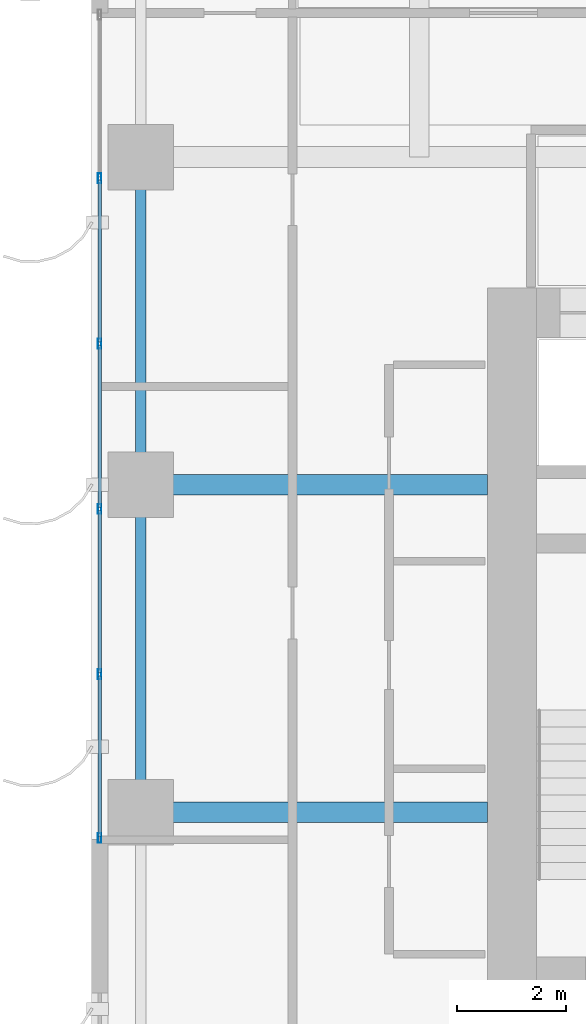
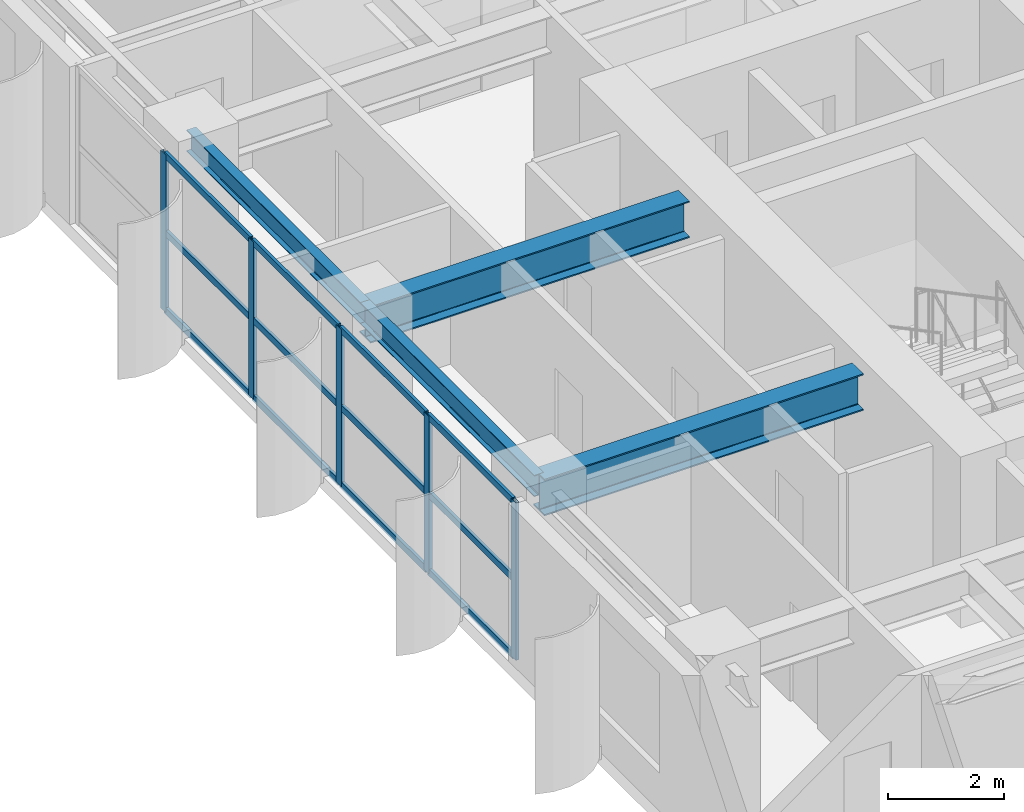
# One storey, part 5 of 26: 17 members, 4 beams, 1 element without a shape of its own.
"""IFC4 building model written with IfcOpenShell, lengths in metres."""

from ifc_helpers import new_model, si_unit, direction, frame, origin, origin_2d, place, context, subcontext, project, spatial, hollow_rectangle, i_section, extrude, source, transform, mapped, material, layer, layer_set, material_profile, profile_set, type_object, element, aggregate, save


model = new_model("IFC4")

# Units and contexts
model_context = context("Model", 3, precision=1e-05, world=origin(), true_north=direction((0.0, 1.0)))
body_context = subcontext(model_context, "Body", "Model", "MODEL_VIEW")
ifc_project = project(units=[si_unit("LENGTHUNIT", "METRE"), si_unit("AREAUNIT", "SQUARE_METRE"), si_unit("VOLUMEUNIT", "CUBIC_METRE"), si_unit("PLANEANGLEUNIT", "RADIAN"), si_unit("MASSUNIT", "GRAM", prefix="KILO")], contexts=[model_context])

# Site, building, storey
site_placement = place(None, origin())
site = spatial("IfcSite", under=ifc_project, at=site_placement, CompositionType="ELEMENT")
building_placement = place(site_placement, origin())
building = spatial("IfcBuilding", under=site, at=building_placement, Name="Khoralis Quay Care Tower", CompositionType="ELEMENT")
storey_placement = place(building_placement, frame((0.0, 0.0, 26.10009765625)))
storey = spatial("IfcBuildingStorey", under=building, at=storey_placement, Name="L06", CompositionType="ELEMENT", Elevation=26.10009765625)

# Beams
ifc_material_1 = material(Name="Steel S355", Category="steel")
ifc_material_profile_1 = material_profile(ifc_material_1, i_section(OverallWidth=0.18994140625, OverallDepth=0.449951171875, WebThickness=0.009521484375, FlangeThickness=0.0146484375, FilletRadius=0.02099609375, at=origin_2d()), Name="Steel S355")
ifc_profile_set_1 = profile_set([ifc_material_profile_1], Name="Steel S355")
beam_type_1 = type_object("IfcBeamType", Name="BM-IPE450", PredefinedType="SPANDREL", material=ifc_profile_set_1)
shared_shape_1 = source(origin(), body_context, "Body", "SweptSolid", [
    extrude(i_section(OverallWidth=0.18994140625, OverallDepth=0.449951171875, WebThickness=0.009521484375, FlangeThickness=0.0146484375, FilletRadius=0.02099609375, at=origin_2d()), origin(), (0.0, 0.0, 1.0), 6.0),
])
for number, where, z_axis, x_axis, name in (
    (1, (0.89990234375, 18.0, 3.094970703125), (0.0, 1.0, 0.0), (-1.0, 0.0, 0.0), "BM-TSP-L06-15"),
    (2, (0.89990234375, 24.0, 3.094970703125), (0.0, 1.0, 0.0), (-1.0, 0.0, 0.0), "BM-TSP-L06-16"),
):
    element("IfcBeam", number, at=place(storey_placement, frame(where, z_axis=z_axis, x_axis=x_axis)), inside=storey, type_object=beam_type_1, Name=name, PredefinedType="SPANDREL", context=body_context, shape_type="MappedRepresentation", body=[
        mapped(shared_shape_1, transform((0.0, 0.0, 0.0), scale=1.0)),
    ])
ifc_material_profile_2 = material_profile(ifc_material_1, i_section(OverallWidth=0.381103515625, OverallDepth=0.77294921875, WebThickness=0.0166015625, FlangeThickness=0.027587890625, FilletRadius=0.02197265625, at=origin_2d()), Name="Steel S355")
ifc_profile_set_2 = profile_set([ifc_material_profile_2], Name="Steel S355")
beam_type_2 = type_object("IfcBeamType", Name="BM-W760X257", PredefinedType="BEAM", material=ifc_profile_set_2)
shared_shape_2 = source(origin(), body_context, "Body", "SweptSolid", [
    extrude(i_section(OverallWidth=0.381103515625, OverallDepth=0.77294921875, WebThickness=0.0166015625, FlangeThickness=0.027587890625, FilletRadius=0.02197265625, at=origin_2d()), origin(), (0.0, 0.0, 1.0), 6.35205078125),
])
for number, where, z_axis, x_axis, name in (
    (3, (0.89990234375, 18.0, 2.933349609375), (1.0, 0.0, 0.0), (0.0, 1.0, 0.0), "BM-TGXW-L06-180"),
    (4, (0.89990234375, 24.0, 2.933349609375), (1.0, 0.0, 0.0), (0.0, 1.0, 0.0), "BM-TGXW-L06-240"),
):
    element("IfcBeam", number, at=place(storey_placement, frame(where, z_axis=z_axis, x_axis=x_axis)), inside=storey, type_object=beam_type_2, Name=name, PredefinedType="BEAM", context=body_context, shape_type="MappedRepresentation", body=[
        mapped(shared_shape_2, transform((0.0, 0.0, 0.0), scale=1.0)),
    ])

# Curtain wall, members
ifc_material_2 = material(Name="Pale anodised aluminium", Category="aluminium")
ifc_layer = layer(ifc_material_2, 0.179931640625)
ifc_layer_set = layer_set([ifc_layer], Name="Pale anodised aluminium")
curtain_wall_type = type_object("IfcCurtainWallType", Name="CW-SYS-Z1", PredefinedType="NOTDEFINED", material=ifc_layer_set)
curtain_wall_placement = place(storey_placement, origin())
curtain_wall = element("IfcCurtainWall", 5, at=curtain_wall_placement, inside=storey, type_object=curtain_wall_type, Name="L06 Unitised Curtain Wall CW-L06-P1-E15", PredefinedType="NOTDEFINED")
ifc_material_profile_3 = material_profile(ifc_material_2, hollow_rectangle(XDim=0.06494140625, YDim=0.179931640625, WallThickness=0.00390625, at=origin_2d()), Name="Pale anodised aluminium")
ifc_profile_set_3 = profile_set([ifc_material_profile_3], Name="Pale anodised aluminium")
member_type_1 = type_object("IfcMemberType", Name="CW-MUL-180", PredefinedType="MULLION", material=ifc_profile_set_3)
shared_shape_3 = source(origin(), body_context, "Body", "SweptSolid", [
    extrude(hollow_rectangle(XDim=0.06494140625, YDim=0.179931640625, WallThickness=0.00390625, at=origin_2d()), origin(), (0.0, 0.0, 1.0), 3.31982421875),
])
member_1_placement = place(storey_placement, frame((0.14990234375, 29.612060546875, 0.0), z_axis=(0.0, 0.0, 1.0), x_axis=(1.0, 0.0, 0.0)))
member_1 = element("IfcMember", 6, at=member_1_placement, type_object=member_type_1, Name="CW1 mullion 2", PredefinedType="MULLION", context=body_context, shape_type="MappedRepresentation", body=[
    mapped(shared_shape_3, transform((0.0, 0.0, 0.0), scale=1.0)),
])
member_2_placement = place(storey_placement, frame((0.14990234375, 26.583984375, 0.0), z_axis=(0.0, 0.0, 1.0), x_axis=(1.0, 0.0, 0.0)))
member_2 = element("IfcMember", 7, at=member_2_placement, type_object=member_type_1, Name="CW1 mullion 3", PredefinedType="MULLION", context=body_context, shape_type="MappedRepresentation", body=[
    mapped(shared_shape_3, transform((0.0, 0.0, 0.0), scale=1.0)),
])
member_3_placement = place(storey_placement, frame((0.14990234375, 23.555908203125, 0.0), z_axis=(0.0, 0.0, 1.0), x_axis=(1.0, 0.0, 0.0)))
member_3 = element("IfcMember", 8, at=member_3_placement, type_object=member_type_1, Name="CW1 mullion 4", PredefinedType="MULLION", context=body_context, shape_type="MappedRepresentation", body=[
    mapped(shared_shape_3, transform((0.0, 0.0, 0.0), scale=1.0)),
])
member_4_placement = place(storey_placement, frame((0.14990234375, 20.528076171875, 0.0), z_axis=(0.0, 0.0, 1.0), x_axis=(1.0, 0.0, 0.0)))
member_4 = element("IfcMember", 9, at=member_4_placement, type_object=member_type_1, Name="CW1 mullion 5", PredefinedType="MULLION", context=body_context, shape_type="MappedRepresentation", body=[
    mapped(shared_shape_3, transform((0.0, 0.0, 0.0), scale=1.0)),
])
member_5_placement = place(storey_placement, frame((0.14990234375, 17.530029296875, 0.0), z_axis=(0.0, 0.0, 1.0), x_axis=(1.0, 0.0, 0.0)))
member_5 = element("IfcMember", 10, at=member_5_placement, type_object=member_type_1, Name="CW1 mullion 6", PredefinedType="MULLION", context=body_context, shape_type="MappedRepresentation", body=[
    mapped(shared_shape_3, transform((0.0, 0.0, 0.0), scale=1.0)),
])
ifc_material_profile_4 = material_profile(ifc_material_2, hollow_rectangle(XDim=0.06005859375, YDim=0.139892578125, WallThickness=0.00390625, at=origin_2d()), Name="Pale anodised aluminium")
ifc_profile_set_4 = profile_set([ifc_material_profile_4], Name="Pale anodised aluminium")
member_type_2 = type_object("IfcMemberType", Name="CW-TRN-140", PredefinedType="USERDEFINED", material=ifc_profile_set_4)
shared_shape_4 = source(origin(), body_context, "Body", "SweptSolid", [
    extrude(hollow_rectangle(XDim=0.06005859375, YDim=0.139892578125, WallThickness=0.00390625, at=origin_2d()), origin(), (0.0, 0.0, 1.0), 2.93798828125),
])
member_6_placement = place(storey_placement, frame((0.14990234375, 20.498046875, 0.02978515625), z_axis=(0.0, -1.0, 0.0), x_axis=(1.0, 0.0, 0.0)))
member_6 = element("IfcMember", 11, at=member_6_placement, type_object=member_type_2, Name="CW1 transom 5.1", ObjectType="TRANSOM", PredefinedType="USERDEFINED", context=body_context, shape_type="MappedRepresentation", body=[
    mapped(shared_shape_4, transform((0.0, 0.0, 0.0), scale=1.0)),
])
member_7_placement = place(storey_placement, frame((0.14990234375, 20.498046875, 1.659912109375), z_axis=(0.0, -1.0, 0.0), x_axis=(1.0, 0.0, 0.0)))
member_7 = element("IfcMember", 12, at=member_7_placement, type_object=member_type_2, Name="CW1 transom 5.2", ObjectType="TRANSOM", PredefinedType="USERDEFINED", context=body_context, shape_type="MappedRepresentation", body=[
    mapped(shared_shape_4, transform((0.0, 0.0, 0.0), scale=1.0)),
])
member_8_placement = place(storey_placement, frame((0.14990234375, 20.498046875, 3.289794921875), z_axis=(0.0, -1.0, 0.0), x_axis=(1.0, 0.0, 0.0)))
member_8 = element("IfcMember", 13, at=member_8_placement, type_object=member_type_2, Name="CW1 transom 5.3", ObjectType="TRANSOM", PredefinedType="USERDEFINED", context=body_context, shape_type="MappedRepresentation", body=[
    mapped(shared_shape_4, transform((0.0, 0.0, 0.0), scale=1.0)),
])
shared_shape_5 = source(origin(), body_context, "Body", "SweptSolid", [
    extrude(hollow_rectangle(XDim=0.06005859375, YDim=0.139892578125, WallThickness=0.00390625, at=origin_2d()), origin(), (0.0, 0.0, 1.0), 2.9677734375),
])
member_9_placement = place(storey_placement, frame((0.14990234375, 23.52587890625, 0.02978515625), z_axis=(0.0, -1.0, 0.0), x_axis=(1.0, 0.0, 0.0)))
member_9 = element("IfcMember", 14, at=member_9_placement, type_object=member_type_2, Name="CW1 transom 4.1", ObjectType="TRANSOM", PredefinedType="USERDEFINED", context=body_context, shape_type="MappedRepresentation", body=[
    mapped(shared_shape_5, transform((0.0, 0.0, 0.0), scale=1.0)),
])
member_10_placement = place(storey_placement, frame((0.14990234375, 23.52587890625, 1.659912109375), z_axis=(0.0, -1.0, 0.0), x_axis=(1.0, 0.0, 0.0)))
member_10 = element("IfcMember", 15, at=member_10_placement, type_object=member_type_2, Name="CW1 transom 4.2", ObjectType="TRANSOM", PredefinedType="USERDEFINED", context=body_context, shape_type="MappedRepresentation", body=[
    mapped(shared_shape_5, transform((0.0, 0.0, 0.0), scale=1.0)),
])
member_11_placement = place(storey_placement, frame((0.14990234375, 23.52587890625, 3.289794921875), z_axis=(0.0, -1.0, 0.0), x_axis=(1.0, 0.0, 0.0)))
member_11 = element("IfcMember", 16, at=member_11_placement, type_object=member_type_2, Name="CW1 transom 4.3", ObjectType="TRANSOM", PredefinedType="USERDEFINED", context=body_context, shape_type="MappedRepresentation", body=[
    mapped(shared_shape_5, transform((0.0, 0.0, 0.0), scale=1.0)),
])
shared_shape_6 = source(origin(), body_context, "Body", "SweptSolid", [
    extrude(hollow_rectangle(XDim=0.06005859375, YDim=0.139892578125, WallThickness=0.00390625, at=origin_2d()), origin(), (0.0, 0.0, 1.0), 2.968017578125),
])
member_12_placement = place(storey_placement, frame((0.14990234375, 29.58203125, 0.02978515625), z_axis=(0.0, -1.0, 0.0), x_axis=(1.0, 0.0, 0.0)))
member_12 = element("IfcMember", 17, at=member_12_placement, type_object=member_type_2, Name="CW1 transom 2.1", ObjectType="TRANSOM", PredefinedType="USERDEFINED", context=body_context, shape_type="MappedRepresentation", body=[
    mapped(shared_shape_6, transform((0.0, 0.0, 0.0), scale=1.0)),
])
member_13_placement = place(storey_placement, frame((0.14990234375, 29.58203125, 1.659912109375), z_axis=(0.0, -1.0, 0.0), x_axis=(1.0, 0.0, 0.0)))
member_13 = element("IfcMember", 18, at=member_13_placement, type_object=member_type_2, Name="CW1 transom 2.2", ObjectType="TRANSOM", PredefinedType="USERDEFINED", context=body_context, shape_type="MappedRepresentation", body=[
    mapped(shared_shape_6, transform((0.0, 0.0, 0.0), scale=1.0)),
])
member_14_placement = place(storey_placement, frame((0.14990234375, 29.58203125, 3.289794921875), z_axis=(0.0, -1.0, 0.0), x_axis=(1.0, 0.0, 0.0)))
member_14 = element("IfcMember", 19, at=member_14_placement, type_object=member_type_2, Name="CW1 transom 2.3", ObjectType="TRANSOM", PredefinedType="USERDEFINED", context=body_context, shape_type="MappedRepresentation", body=[
    mapped(shared_shape_6, transform((0.0, 0.0, 0.0), scale=1.0)),
])
member_15_placement = place(storey_placement, frame((0.14990234375, 26.553955078125, 0.02978515625), z_axis=(0.0, -1.0, 0.0), x_axis=(1.0, 0.0, 0.0)))
member_15 = element("IfcMember", 20, at=member_15_placement, type_object=member_type_2, Name="CW1 transom 3.1", ObjectType="TRANSOM", PredefinedType="USERDEFINED", context=body_context, shape_type="MappedRepresentation", body=[
    mapped(shared_shape_6, transform((0.0, 0.0, 0.0), scale=1.0)),
])
member_16_placement = place(storey_placement, frame((0.14990234375, 26.553955078125, 1.659912109375), z_axis=(0.0, -1.0, 0.0), x_axis=(1.0, 0.0, 0.0)))
member_16 = element("IfcMember", 21, at=member_16_placement, type_object=member_type_2, Name="CW1 transom 3.2", ObjectType="TRANSOM", PredefinedType="USERDEFINED", context=body_context, shape_type="MappedRepresentation", body=[
    mapped(shared_shape_6, transform((0.0, 0.0, 0.0), scale=1.0)),
])
member_17_placement = place(storey_placement, frame((0.14990234375, 26.553955078125, 3.289794921875), z_axis=(0.0, -1.0, 0.0), x_axis=(1.0, 0.0, 0.0)))
member_17 = element("IfcMember", 22, at=member_17_placement, type_object=member_type_2, Name="CW1 transom 3.3", ObjectType="TRANSOM", PredefinedType="USERDEFINED", context=body_context, shape_type="MappedRepresentation", body=[
    mapped(shared_shape_6, transform((0.0, 0.0, 0.0), scale=1.0)),
])
aggregate(curtain_wall, [member_1, member_2, member_3, member_4, member_5, member_12, member_13, member_14, member_15, member_16, member_17, member_9, member_10, member_11, member_6, member_7, member_8])

save(model, "model.ifc")
